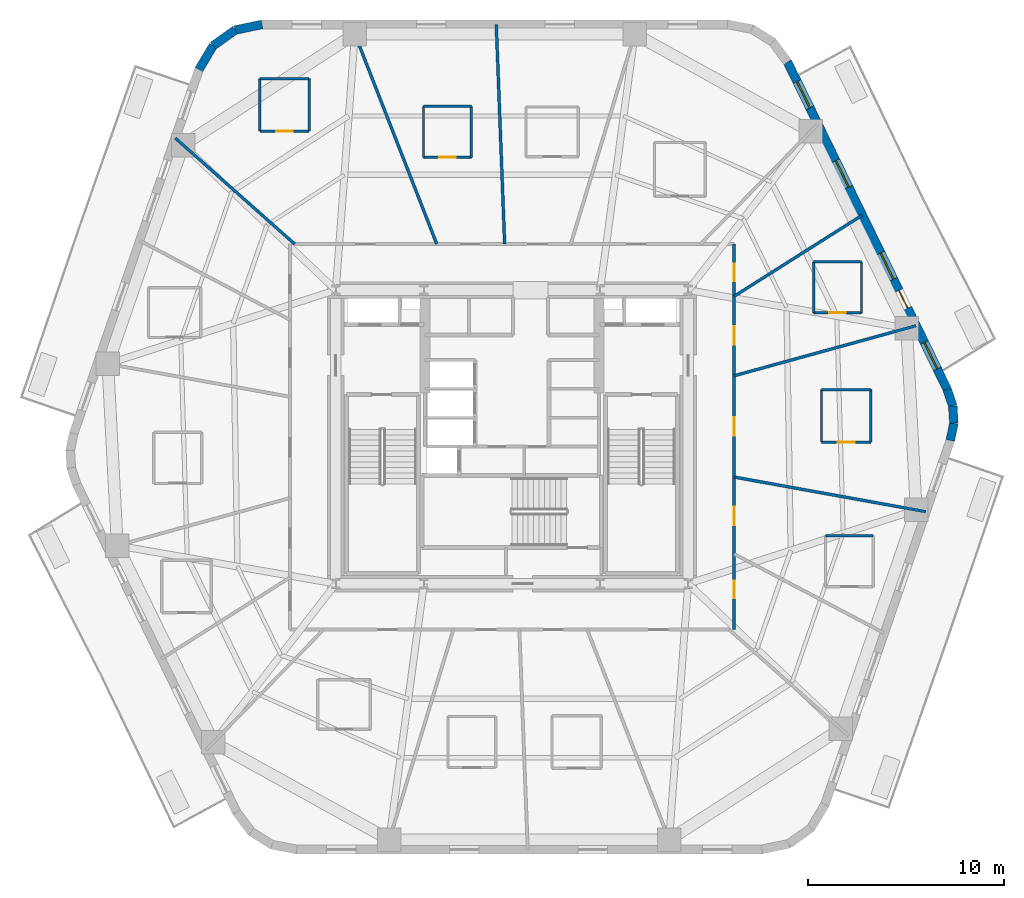
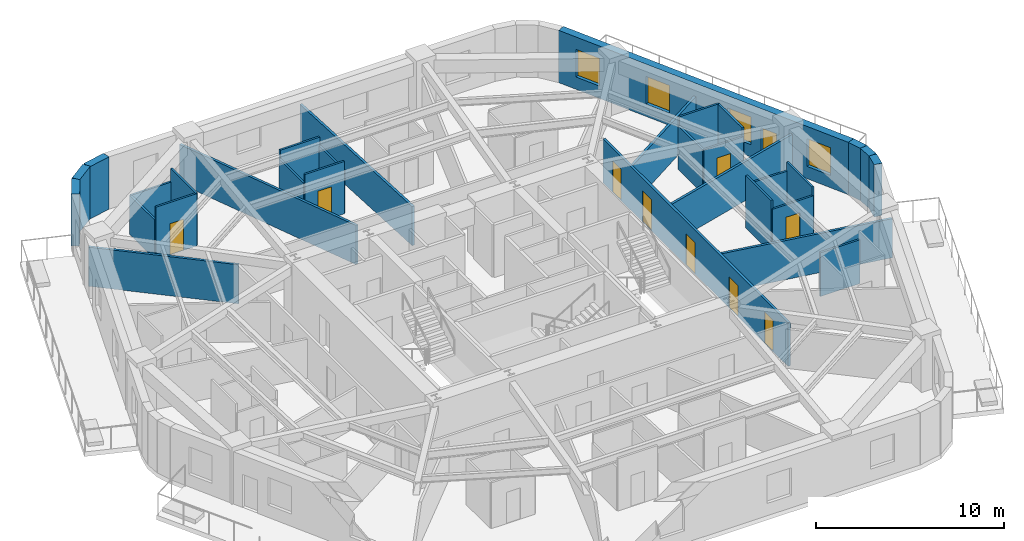
# One storey, part 6 of 10: 31 walls, 10 doors, 4 windows, 14 openings.
"""IFC4 building model written with IfcOpenShell, lengths in metres."""

from ifc_helpers import new_model, si_unit, direction, frame, frame_2d, origin, place, context, subcontext, project, spatial, rectangle, extrude, material, layer, layer_set, type_object, element, fill, save


model = new_model("IFC4")

# Units and contexts
model_context = context("Model", 3, precision=1e-05, world=origin(), true_north=direction((0.0, 1.0)))
body_context = subcontext(model_context, "Body", "Model", "MODEL_VIEW")
ifc_project = project(units=[si_unit("LENGTHUNIT", "METRE"), si_unit("AREAUNIT", "SQUARE_METRE"), si_unit("VOLUMEUNIT", "CUBIC_METRE"), si_unit("PLANEANGLEUNIT", "RADIAN"), si_unit("MASSUNIT", "GRAM", prefix="KILO")], contexts=[model_context])

# Site, building, storey
site_placement = place(None, origin())
site = spatial("IfcSite", under=ifc_project, at=site_placement, CompositionType="ELEMENT")
building_placement = place(site_placement, origin())
building = spatial("IfcBuilding", under=site, at=building_placement, Name="Kilnhurst Terrace Hotel", CompositionType="ELEMENT")
storey_placement = place(building_placement, frame((0.0, 0.0, 117.300048828125)))
storey = spatial("IfcBuildingStorey", under=building, at=storey_placement, Name="L28", CompositionType="ELEMENT", Elevation=117.300048828125)

# Walls
ifc_material_1 = material(Name="Precast concrete C40/50", Category="concrete")
ifc_layer_1 = layer(ifc_material_1, 0.449951171875, Name="Precast concrete C40/50")
ifc_layer_set_1 = layer_set([ifc_layer_1], Name="Precast concrete C40/50")
wall_type_1 = type_object("IfcWallType", Name="WL-BRK-450", PredefinedType="SOLIDWALL", material=ifc_layer_set_1)
wall_1_placement = place(storey_placement, frame((22.39697265625, -0.17919921875, 0.0), z_axis=(0.0, 0.0, 1.0), x_axis=(0.199313589404, 0.979935759669, 0.0)))
element("IfcWall", 1, at=wall_1_placement, inside=storey, type_object=wall_type_1, Name="L28 Rounded Corner Brick Wall C3.1", PredefinedType="SOLIDWALL", context=body_context, shape_type="SweptSolid", body=[
    extrude(rectangle(XDim=0.8955078125, YDim=0.449951171875, at=frame_2d((0.44775390625, 0.0))), origin(), (0.0, 0.0, 1.0), 3.39990234375),
])
wall_2_placement = place(storey_placement, frame((22.575439453125, 0.6982421875, 0.0), z_axis=(0.0, 0.0, 1.0), x_axis=(-0.060980441946, 0.998138961117, 0.0)))
element("IfcWall", 2, at=wall_2_placement, inside=storey, type_object=wall_type_1, Name="L28 Rounded Corner Brick Wall C3.2", PredefinedType="SOLIDWALL", context=body_context, shape_type="SweptSolid", body=[
    extrude(rectangle(XDim=0.880859375, YDim=0.449951171875, at=frame_2d((0.4404296875, 0.0))), origin(), (0.0, 0.0, 1.0), 3.39990234375),
])
wall_3_placement = place(storey_placement, frame((22.521728515625, 1.577392578125, 0.0), z_axis=(0.0, 0.0, 1.0), x_axis=(-0.317372694837, 0.948300887151, 0.0)))
element("IfcWall", 3, at=wall_3_placement, inside=storey, type_object=wall_type_1, Name="L28 Rounded Corner Brick Wall C3.3", PredefinedType="SOLIDWALL", context=body_context, shape_type="SweptSolid", body=[
    extrude(rectangle(XDim=0.8955078125, YDim=0.449951171875, at=frame_2d((0.44775390625, 0.0))), origin(), (0.0, 0.0, 1.0), 3.39990234375),
])
wall_4_placement = place(storey_placement, frame((-12.7705078125, 21.074951171875, 0.0), z_axis=(0.0, 0.0, 1.0), x_axis=(-0.97874281988, -0.205091424819, 0.0)))
element("IfcWall", 4, at=wall_4_placement, inside=storey, type_object=wall_type_1, Name="L28 Rounded Corner Brick Wall C5.1", PredefinedType="SOLIDWALL", context=body_context, shape_type="SweptSolid", body=[
    extrude(rectangle(XDim=1.40576171875, YDim=0.449951171875, at=frame_2d((0.702880859375, 0.0))), origin(), (0.0, 0.0, 1.0), 3.39990234375),
])
wall_5_placement = place(storey_placement, frame((-14.146484375, 20.78662109375, 0.0), z_axis=(0.0, 0.0, 1.0), x_axis=(-0.814162929117, -0.580636482536, 0.0)))
element("IfcWall", 5, at=wall_5_placement, inside=storey, type_object=wall_type_1, Name="L28 Rounded Corner Brick Wall C5.2", PredefinedType="SOLIDWALL", context=body_context, shape_type="SweptSolid", body=[
    extrude(rectangle(XDim=1.382080078125, YDim=0.449951171875, at=frame_2d((0.69091796875, 0.0))), origin(), (0.0, 0.0, 1.0), 3.39990234375),
])
wall_6_placement = place(storey_placement, frame((-15.271728515625, 19.984130859375, 0.0), z_axis=(0.0, 0.0, 1.0), x_axis=(-0.512579347361, -0.858639862025, 0.0)))
element("IfcWall", 6, at=wall_6_placement, inside=storey, type_object=wall_type_1, Name="L28 Rounded Corner Brick Wall C5.3", PredefinedType="SOLIDWALL", context=body_context, shape_type="SweptSolid", body=[
    extrude(rectangle(XDim=1.406005859375, YDim=0.449951171875, at=frame_2d((0.703125, 0.0))), origin(), (0.0, 0.0, 1.0), 3.39990234375),
])

# Wall, openings, door, windows
wall_7_placement = place(storey_placement, frame((22.237548828125, 2.426513671875, 0.0), z_axis=(0.0, 0.0, 1.0), x_axis=(-0.438374803278, 0.898792262901, 0.0)))
wall_7 = element("IfcWall", 7, at=wall_7_placement, inside=storey, type_object=wall_type_1, Name="L28 Exterior Brick Facade Wall F3", PredefinedType="SOLIDWALL", context=body_context, shape_type="SweptSolid", body=[
    extrude(rectangle(XDim=18.618408203125, YDim=0.449951171875, at=frame_2d((9.30908203125, 0.0))), origin(), (0.0, 0.0, 1.0), 3.39990234375),
])
opening_1_placement = place(wall_7_placement, frame((4.6201171875, 0.0, 0.0)))
opening_1 = element("IfcOpeningElement", 8, at=opening_1_placement, cuts=wall_7, Name="Opening BD-1000", PredefinedType="OPENING", context=body_context, shape_type="SweptSolid", body=[
    extrude(rectangle(XDim=1.0, YDim=2.14990234375, at=frame_2d((0.5, 1.074951171875))), frame((0.0, 0.23486328125, 0.0), z_axis=(0.0, -1.0, 0.0), x_axis=(1.0, 0.0, 0.0)), (0.0, 0.0, 1.0), 0.469970703125),
])
opening_2_placement = place(wall_7_placement, frame((6.261962890625, 0.0, 0.800048828125)))
opening_2 = element("IfcOpeningElement", 9, at=opening_2_placement, cuts=wall_7, Name="Opening W-02", PredefinedType="OPENING", context=body_context, shape_type="SweptSolid", body=[
    extrude(rectangle(XDim=1.5, YDim=1.800048828125, at=frame_2d((0.75, 0.89990234375))), frame((0.0, 0.23486328125, 0.0), z_axis=(0.0, -1.0, 0.0), x_axis=(1.0, 0.0, 0.0)), (0.0, 0.0, 1.0), 0.469970703125),
])
opening_3_placement = place(wall_7_placement, frame((11.5009765625, 0.0, 0.800048828125)))
opening_3 = element("IfcOpeningElement", 10, at=opening_3_placement, cuts=wall_7, Name="Opening W-02", PredefinedType="OPENING", context=body_context, shape_type="SweptSolid", body=[
    extrude(rectangle(XDim=1.5, YDim=1.800048828125, at=frame_2d((0.75, 0.89990234375))), frame((0.0, 0.23486328125, 0.0), z_axis=(0.0, -1.0, 0.0), x_axis=(1.0, 0.0, 0.0)), (0.0, 0.0, 1.0), 0.469970703125),
])
opening_4_placement = place(wall_7_placement, frame((16.006103515625, 0.0, 0.800048828125)))
opening_4 = element("IfcOpeningElement", 11, at=opening_4_placement, cuts=wall_7, Name="Opening W-02", PredefinedType="OPENING", context=body_context, shape_type="SweptSolid", body=[
    extrude(rectangle(XDim=1.5, YDim=1.800048828125, at=frame_2d((0.75, 0.89990234375))), frame((0.0, 0.23486328125, 0.0), z_axis=(0.0, -1.0, 0.0), x_axis=(1.0, 0.0, 0.0)), (0.0, 0.0, 1.0), 0.469970703125),
])
opening_5_placement = place(wall_7_placement, frame((1.1630859375, 0.0, 0.800048828125)))
opening_5 = element("IfcOpeningElement", 12, at=opening_5_placement, cuts=wall_7, Name="Opening W-02", PredefinedType="OPENING", context=body_context, shape_type="SweptSolid", body=[
    extrude(rectangle(XDim=1.5, YDim=1.800048828125, at=frame_2d((0.75, 0.89990234375))), frame((0.0, 0.23486328125, 0.0), z_axis=(0.0, -1.0, 0.0), x_axis=(1.0, 0.0, 0.0)), (0.0, 0.0, 1.0), 0.469970703125),
])
ifc_material_2 = material(Name="Thermally Broken Bronze Aluminium Alloy 6063-T6 and Laminated Glass", Category="aluminium")
door_type_1 = type_object("IfcDoorType", Name="DR-EXT-BAL-1000", OperationType="NOTDEFINED", PredefinedType="DOOR", material=ifc_material_2)
door_1_placement = place(opening_1_placement, origin())
door_1 = element("IfcDoor", 13, at=door_1_placement, inside=storey, type_object=door_type_1, Name="L28 Planted Balcony Door BAL-L1B", OperationType="SINGLE_SWING_LEFT", OverallHeight=2.14990234375, OverallWidth=1.0, PredefinedType="DOOR", context=body_context, shape_type="SweptSolid", body=[
    extrude(rectangle(XDim=1.0, YDim=2.14990234375, at=frame_2d((0.5, 1.074951171875))), frame((0.0, 0.02490234375, 0.0), z_axis=(0.0, -1.0, 0.0), x_axis=(1.0, 0.0, 0.0)), (0.0, 0.0, 1.0), 0.050048828125),
])
fill(opening_1, door_1)
ifc_material_3 = material(Name="Thermally Broken Bronze Aluminium Alloy 6063-T6 and Low-E Glass", Category="aluminium")
window_type = type_object("IfcWindowType", Name="WIN-1500X1800", PartitioningType="SINGLE_PANEL", PredefinedType="WINDOW", material=ifc_material_3)
window_1_placement = place(opening_2_placement, origin())
window_1 = element("IfcWindow", 14, at=window_1_placement, inside=storey, type_object=window_type, Name="L28 Deep-Set Masonry Window F3.1", OverallHeight=1.800048828125, OverallWidth=1.5, PartitioningType="SINGLE_PANEL", PredefinedType="WINDOW", context=body_context, shape_type="SweptSolid", body=[
    extrude(rectangle(XDim=1.5, YDim=1.800048828125, at=frame_2d((0.75, 0.89990234375))), frame((0.0, 0.030029296875, 0.0), z_axis=(0.0, -1.0, 0.0), x_axis=(1.0, 0.0, 0.0)), (0.0, 0.0, 1.0), 0.06005859375),
])
fill(opening_2, window_1)
window_2_placement = place(opening_3_placement, origin())
window_2 = element("IfcWindow", 15, at=window_2_placement, inside=storey, type_object=window_type, Name="L28 Deep-Set Masonry Window F3.2", OverallHeight=1.800048828125, OverallWidth=1.5, PartitioningType="SINGLE_PANEL", PredefinedType="WINDOW", context=body_context, shape_type="SweptSolid", body=[
    extrude(rectangle(XDim=1.5, YDim=1.800048828125, at=frame_2d((0.75, 0.89990234375))), frame((0.0, 0.030029296875, 0.0), z_axis=(0.0, -1.0, 0.0), x_axis=(1.0, 0.0, 0.0)), (0.0, 0.0, 1.0), 0.06005859375),
])
fill(opening_3, window_2)
window_3_placement = place(opening_4_placement, origin())
window_3 = element("IfcWindow", 16, at=window_3_placement, inside=storey, type_object=window_type, Name="L28 Deep-Set Masonry Window F3.3", OverallHeight=1.800048828125, OverallWidth=1.5, PartitioningType="SINGLE_PANEL", PredefinedType="WINDOW", context=body_context, shape_type="SweptSolid", body=[
    extrude(rectangle(XDim=1.5, YDim=1.800048828125, at=frame_2d((0.75, 0.89990234375))), frame((0.0, 0.030029296875, 0.0), z_axis=(0.0, -1.0, 0.0), x_axis=(1.0, 0.0, 0.0)), (0.0, 0.0, 1.0), 0.06005859375),
])
fill(opening_4, window_3)
window_4_placement = place(opening_5_placement, origin())
window_4 = element("IfcWindow", 17, at=window_4_placement, inside=storey, type_object=window_type, Name="L28 Deep-Set Masonry Window F3.4", OverallHeight=1.800048828125, OverallWidth=1.5, PartitioningType="SINGLE_PANEL", PredefinedType="WINDOW", context=body_context, shape_type="SweptSolid", body=[
    extrude(rectangle(XDim=1.5, YDim=1.800048828125, at=frame_2d((0.75, 0.89990234375))), frame((0.0, 0.030029296875, 0.0), z_axis=(0.0, -1.0, 0.0), x_axis=(1.0, 0.0, 0.0)), (0.0, 0.0, 1.0), 0.06005859375),
])
fill(opening_5, window_4)

# Wall, openings, doors
ifc_material_4 = material(Name="Acoustic Double-Gypsum Corridor Partition Assembly")
ifc_layer_2 = layer(ifc_material_4, 0.14990234375, Name="Acoustic Double-Gypsum Corridor Partition Assembly")
ifc_layer_set_2 = layer_set([ifc_layer_2], Name="Acoustic Double-Gypsum Corridor Partition Assembly")
wall_type_2 = type_object("IfcWallType", Name="WL-COR-150", PredefinedType="PARTITIONING", material=ifc_layer_set_2)
wall_8_placement = place(storey_placement, frame((11.35009765625, 9.85009765625, 0.0), z_axis=(0.0, 0.0, 1.0), x_axis=(0.0, -1.0, 0.0)))
wall_8 = element("IfcWall", 18, at=wall_8_placement, inside=storey, type_object=wall_type_2, Name="L28 Interior Wall WL-L28-COR-03", PredefinedType="PARTITIONING", context=body_context, shape_type="SweptSolid", body=[
    extrude(rectangle(XDim=19.7001953125, YDim=0.14990234375, at=frame_2d((9.85009765625, 0.0))), origin(), (0.0, 0.0, 1.0), 2.83984375),
])
opening_6_placement = place(wall_8_placement, frame((4.198974609375, 0.0, 0.0)))
opening_6 = element("IfcOpeningElement", 19, at=opening_6_placement, cuts=wall_8, Name="Opening D-60B", PredefinedType="OPENING", context=body_context, shape_type="SweptSolid", body=[
    extrude(rectangle(XDim=0.949951171875, YDim=2.030029296875, at=frame_2d((0.47509765625, 1.01513671875))), frame((0.0, 0.0849609375, 0.0), z_axis=(0.0, -1.0, 0.0), x_axis=(1.0, 0.0, 0.0)), (0.0, 0.0, 1.0), 0.169921875),
])
opening_7_placement = place(wall_8_placement, frame((1.001953125, 0.0, 0.0)))
opening_7 = element("IfcOpeningElement", 20, at=opening_7_placement, cuts=wall_8, Name="Opening D-60C", PredefinedType="OPENING", context=body_context, shape_type="SweptSolid", body=[
    extrude(rectangle(XDim=0.89990234375, YDim=2.030029296875, at=frame_2d((0.449951171875, 1.01513671875))), frame((0.0, 0.0849609375, 0.0), z_axis=(0.0, -1.0, 0.0), x_axis=(1.0, 0.0, 0.0)), (0.0, 0.0, 1.0), 0.169921875),
])
opening_8_placement = place(wall_8_placement, frame((17.197021484375, 0.0, 0.0)))
opening_8 = element("IfcOpeningElement", 21, at=opening_8_placement, cuts=wall_8, Name="Opening D-60C", PredefinedType="OPENING", context=body_context, shape_type="SweptSolid", body=[
    extrude(rectangle(XDim=0.89990234375, YDim=2.030029296875, at=frame_2d((0.449951171875, 1.01513671875))), frame((0.0, 0.0849609375, 0.0), z_axis=(0.0, -1.0, 0.0), x_axis=(1.0, 0.0, 0.0)), (0.0, 0.0, 1.0), 0.169921875),
])
opening_9_placement = place(wall_8_placement, frame((13.407958984375, 0.0, 0.0)))
opening_9 = element("IfcOpeningElement", 22, at=opening_9_placement, cuts=wall_8, Name="Opening D-60B", PredefinedType="OPENING", context=body_context, shape_type="SweptSolid", body=[
    extrude(rectangle(XDim=0.949951171875, YDim=2.030029296875, at=frame_2d((0.47509765625, 1.01513671875))), frame((0.0, 0.0849609375, 0.0), z_axis=(0.0, -1.0, 0.0), x_axis=(1.0, 0.0, 0.0)), (0.0, 0.0, 1.0), 0.169921875),
])
opening_10_placement = place(wall_8_placement, frame((8.8359375, 0.0, 0.0)))
opening_10 = element("IfcOpeningElement", 23, at=opening_10_placement, cuts=wall_8, Name="Opening D-60B", PredefinedType="OPENING", context=body_context, shape_type="SweptSolid", body=[
    extrude(rectangle(XDim=0.949951171875, YDim=2.030029296875, at=frame_2d((0.47509765625, 1.01513671875))), frame((0.0, 0.0849609375, 0.0), z_axis=(0.0, -1.0, 0.0), x_axis=(1.0, 0.0, 0.0)), (0.0, 0.0, 1.0), 0.169921875),
])
ifc_material_5 = material(Name="Painted Solid-Core Service Fire Door")
door_type_2 = type_object("IfcDoorType", Name="DR-FD60-900", OperationType="NOTDEFINED", PredefinedType="DOOR", material=ifc_material_5)
door_2_placement = place(opening_7_placement, origin())
door_2 = element("IfcDoor", 24, at=door_2_placement, inside=storey, type_object=door_type_2, Name="L28 Private Study Salon Door 2", OperationType="SINGLE_SWING_RIGHT", OverallHeight=2.030029296875, OverallWidth=0.89990234375, PredefinedType="DOOR", context=body_context, shape_type="SweptSolid", body=[
    extrude(rectangle(XDim=0.89990234375, YDim=2.030029296875, at=frame_2d((0.449951171875, 1.01513671875))), frame((0.0, 0.02490234375, 0.0), z_axis=(0.0, -1.0, 0.0), x_axis=(1.0, 0.0, 0.0)), (0.0, 0.0, 1.0), 0.050048828125),
])
fill(opening_7, door_2)
door_3_placement = place(opening_8_placement, origin())
door_3 = element("IfcDoor", 25, at=door_3_placement, inside=storey, type_object=door_type_2, Name="L28 Private Meeting Salon Door 16", OperationType="SINGLE_SWING_RIGHT", OverallHeight=2.030029296875, OverallWidth=0.89990234375, PredefinedType="DOOR", context=body_context, shape_type="SweptSolid", body=[
    extrude(rectangle(XDim=0.89990234375, YDim=2.030029296875, at=frame_2d((0.449951171875, 1.01513671875))), frame((0.0, 0.02490234375, 0.0), z_axis=(0.0, -1.0, 0.0), x_axis=(1.0, 0.0, 0.0)), (0.0, 0.0, 1.0), 0.050048828125),
])
fill(opening_8, door_3)
ifc_material_6 = material(Name="Acoustic Walnut Veneer Solid-Core Fire Door")
door_type_3 = type_object("IfcDoorType", Name="DR-FD60-950", OperationType="NOTDEFINED", PredefinedType="DOOR", material=ifc_material_6)
door_4_placement = place(opening_6_placement, origin())
door_4 = element("IfcDoor", 26, at=door_4_placement, inside=storey, type_object=door_type_3, Name="L28 Guest Room Entry Door 1", OperationType="SINGLE_SWING_LEFT", OverallHeight=2.030029296875, OverallWidth=0.949951171875, PredefinedType="DOOR", context=body_context, shape_type="SweptSolid", body=[
    extrude(rectangle(XDim=0.949951171875, YDim=2.030029296875, at=frame_2d((0.47509765625, 1.01513671875))), frame((0.0, 0.02490234375, 0.0), z_axis=(0.0, -1.0, 0.0), x_axis=(1.0, 0.0, 0.0)), (0.0, 0.0, 1.0), 0.050048828125),
])
fill(opening_6, door_4)
door_5_placement = place(opening_9_placement, origin())
door_5 = element("IfcDoor", 27, at=door_5_placement, inside=storey, type_object=door_type_3, Name="L28 Guest Room Entry Door 17", OperationType="SINGLE_SWING_LEFT", OverallHeight=2.030029296875, OverallWidth=0.949951171875, PredefinedType="DOOR", context=body_context, shape_type="SweptSolid", body=[
    extrude(rectangle(XDim=0.949951171875, YDim=2.030029296875, at=frame_2d((0.47509765625, 1.01513671875))), frame((0.0, 0.02490234375, 0.0), z_axis=(0.0, -1.0, 0.0), x_axis=(1.0, 0.0, 0.0)), (0.0, 0.0, 1.0), 0.050048828125),
])
fill(opening_9, door_5)
door_6_placement = place(opening_10_placement, origin())
door_6 = element("IfcDoor", 28, at=door_6_placement, inside=storey, type_object=door_type_3, Name="L28 Executive Suite Entry Door 18", OperationType="SINGLE_SWING_RIGHT", OverallHeight=2.030029296875, OverallWidth=0.949951171875, PredefinedType="DOOR", context=body_context, shape_type="SweptSolid", body=[
    extrude(rectangle(XDim=0.949951171875, YDim=2.030029296875, at=frame_2d((0.47509765625, 1.01513671875))), frame((0.0, 0.02490234375, 0.0), z_axis=(0.0, -1.0, 0.0), x_axis=(1.0, 0.0, 0.0)), (0.0, 0.0, 1.0), 0.050048828125),
])
fill(opening_10, door_6)

# Walls
ifc_material_7 = material(Name="STC-58 Acoustic Twin-Frame Guestroom Demising Partition")
ifc_layer_3 = layer(ifc_material_7, 0.14990234375, Name="STC-58 Acoustic Twin-Frame Guestroom Demising Partition")
ifc_layer_set_3 = layer_set([ifc_layer_3], Name="STC-58 Acoustic Twin-Frame Guestroom Demising Partition")
wall_type_3 = type_object("IfcWallType", Name="WL-DEM-150", PredefinedType="PARTITIONING", material=ifc_layer_set_3)
wall_9_placement = place(storey_placement, frame((11.35009765625, 3.123291015625, 0.0), z_axis=(0.0, 0.0, 1.0), x_axis=(0.964151983214, 0.265350623261, 0.0)))
element("IfcWall", 29, at=wall_9_placement, inside=storey, type_object=wall_type_3, Name="L28 Interior Wall WL-L28-DEM-COL01-01-1", PredefinedType="PARTITIONING", context=body_context, shape_type="SweptSolid", body=[
    extrude(rectangle(XDim=9.64501953125, YDim=0.14990234375, at=frame_2d((4.822509765625, 0.0))), origin(), (0.0, 0.0, 1.0), 2.5400390625),
])
wall_10_placement = place(storey_placement, frame((11.35009765625, 7.185302734375, 0.0), z_axis=(0.0, 0.0, 1.0), x_axis=(0.844928274737, 0.534879622485, 0.0)))
element("IfcWall", 30, at=wall_10_placement, inside=storey, type_object=wall_type_3, Name="L28 Interior Wall WL-L28-DEM-MID01-02-1", PredefinedType="PARTITIONING", context=body_context, shape_type="SweptSolid", body=[
    extrude(rectangle(XDim=7.746826171875, YDim=0.14990234375, at=frame_2d((3.87353515625, 0.0))), origin(), (0.0, 0.0, 1.0), 2.5400390625),
])
wall_11_placement = place(storey_placement, frame((-0.3759765625, 9.85009765625, 0.0), z_axis=(0.0, 0.0, 1.0), x_axis=(-0.03812177869, 0.999273100804, 0.0)))
element("IfcWall", 31, at=wall_11_placement, inside=storey, type_object=wall_type_3, Name="L28 Interior Wall WL-L28-DEM-MID03-05-1", PredefinedType="PARTITIONING", context=body_context, shape_type="SweptSolid", body=[
    extrude(rectangle(XDim=11.23291015625, YDim=0.14990234375, at=frame_2d((5.616455078125, 0.0))), origin(), (0.0, 0.0, 1.0), 2.5400390625),
])
wall_12_placement = place(storey_placement, frame((-3.84228515625, 9.85009765625, 0.0), z_axis=(0.0, 0.0, 1.0), x_axis=(-0.363432685593, 0.931620460833, 0.0)))
element("IfcWall", 32, at=wall_12_placement, inside=storey, type_object=wall_type_3, Name="L28 Interior Wall WL-L28-DEM-COL04-06-1", PredefinedType="PARTITIONING", context=body_context, shape_type="SweptSolid", body=[
    extrude(rectangle(XDim=12.048828125, YDim=0.14990234375, at=frame_2d((6.0244140625, 0.0))), origin(), (0.0, 0.0, 1.0), 2.5400390625),
])
wall_13_placement = place(storey_placement, frame((-11.097900390625, 9.85009765625, 0.0), z_axis=(0.0, 0.0, 1.0), x_axis=(-0.747904295103, 0.663806572253, 0.0)))
element("IfcWall", 33, at=wall_13_placement, inside=storey, type_object=wall_type_3, Name="L28 Interior Wall WL-L28-DEM-COL05-07-1", PredefinedType="PARTITIONING", context=body_context, shape_type="SweptSolid", body=[
    extrude(rectangle(XDim=8.160400390625, YDim=0.14990234375, at=frame_2d((4.080078125, 0.0))), origin(), (0.0, 0.0, 1.0), 2.5400390625),
])
wall_14_placement = place(storey_placement, frame((11.35009765625, -2.05078125, 0.0), z_axis=(0.0, 0.0, 1.0), x_axis=(0.984068313063, -0.177790762484, 0.0)))
element("IfcWall", 34, at=wall_14_placement, inside=storey, type_object=wall_type_3, Name="L28 Interior Wall WL-L28-DEM-COL12-18-1", PredefinedType="PARTITIONING", context=body_context, shape_type="SweptSolid", body=[
    extrude(rectangle(XDim=9.951416015625, YDim=0.14990234375, at=frame_2d((4.9755859375, 0.0))), origin(), (0.0, 0.0, 1.0), 2.5400390625),
])

# Wall, opening, door
ifc_material_8 = material(Name="120 mm Moisture-Resistant Tile-Backed Bathroom Partition")
ifc_layer_4 = layer(ifc_material_8, 0.1201171875, Name="120 mm Moisture-Resistant Tile-Backed Bathroom Partition")
ifc_layer_set_4 = layer_set([ifc_layer_4], Name="120 mm Moisture-Resistant Tile-Backed Bathroom Partition")
wall_type_4 = type_object("IfcWallType", Name="WL-PART-120", PredefinedType="PARTITIONING", material=ifc_layer_set_4)
wall_15_placement = place(storey_placement, frame((15.4140625, 6.3349609375, 0.0), z_axis=(0.0, 0.0, 1.0), x_axis=(1.0, 0.0, 0.0)))
wall_15 = element("IfcWall", 35, at=wall_15_placement, inside=storey, type_object=wall_type_4, Name="L28 Interior Wall WL-L28-BTH-01-1", PredefinedType="PARTITIONING", context=body_context, shape_type="SweptSolid", body=[
    extrude(rectangle(XDim=2.43994140625, YDim=0.1201171875, at=frame_2d((1.219970703125, 0.0))), origin(), (0.0, 0.0, 1.0), 2.83984375),
])
opening_11_placement = place(wall_15_placement, frame((0.794921875, 0.0, 0.0)))
opening_11 = element("IfcOpeningElement", 36, at=opening_11_placement, cuts=wall_15, Name="Opening D-08A", PredefinedType="OPENING", context=body_context, shape_type="SweptSolid", body=[
    extrude(rectangle(XDim=0.85009765625, YDim=2.030029296875, at=frame_2d((0.425048828125, 1.01513671875))), frame((0.0, 0.070068359375, 0.0), z_axis=(0.0, -1.0, 0.0), x_axis=(1.0, 0.0, 0.0)), (0.0, 0.0, 1.0), 0.14013671875),
])
ifc_material_9 = material(Name="Moisture-Resistant Lacquered En-suite Bathroom Door")
door_type_4 = type_object("IfcDoorType", Name="DR-INT-850", OperationType="NOTDEFINED", PredefinedType="DOOR", material=ifc_material_9)
door_7_placement = place(opening_11_placement, origin())
door_7 = element("IfcDoor", 37, at=door_7_placement, inside=storey, type_object=door_type_4, Name="L28 En-suite Bathroom Door 1", OperationType="SINGLE_SWING_RIGHT", OverallHeight=2.030029296875, OverallWidth=0.85009765625, PredefinedType="DOOR", context=body_context, shape_type="SweptSolid", body=[
    extrude(rectangle(XDim=0.85009765625, YDim=2.030029296875, at=frame_2d((0.425048828125, 1.01513671875))), frame((0.0, 0.02490234375, 0.0), z_axis=(0.0, -1.0, 0.0), x_axis=(1.0, 0.0, 0.0)), (0.0, 0.0, 1.0), 0.050048828125),
])
fill(opening_11, door_7)

# Walls
wall_16_placement = place(storey_placement, frame((17.85400390625, 6.3349609375, 0.0), z_axis=(0.0, 0.0, 1.0), x_axis=(0.0, 1.0, 0.0)))
element("IfcWall", 38, at=wall_16_placement, inside=storey, type_object=wall_type_4, Name="L28 Interior Wall WL-L28-BTH-01-2", PredefinedType="PARTITIONING", context=body_context, shape_type="SweptSolid", body=[
    extrude(rectangle(XDim=2.610107421875, YDim=0.1201171875, at=frame_2d((1.30517578125, 0.0))), origin(), (0.0, 0.0, 1.0), 3.39990234375),
])
wall_17_placement = place(storey_placement, frame((17.85400390625, 8.945068359375, 0.0), z_axis=(0.0, 0.0, 1.0), x_axis=(-1.0, 0.0, 0.0)))
element("IfcWall", 39, at=wall_17_placement, inside=storey, type_object=wall_type_4, Name="L28 Interior Wall WL-L28-BTH-01-3", PredefinedType="PARTITIONING", context=body_context, shape_type="SweptSolid", body=[
    extrude(rectangle(XDim=2.43994140625, YDim=0.1201171875, at=frame_2d((1.219970703125, 0.0))), origin(), (0.0, 0.0, 1.0), 3.39990234375),
])
wall_18_placement = place(storey_placement, frame((15.4140625, 8.945068359375, 0.0), z_axis=(0.0, 0.0, 1.0), x_axis=(0.0, -1.0, 0.0)))
element("IfcWall", 40, at=wall_18_placement, inside=storey, type_object=wall_type_4, Name="L28 Interior Wall WL-L28-BTH-01-4", PredefinedType="PARTITIONING", context=body_context, shape_type="SweptSolid", body=[
    extrude(rectangle(XDim=2.610107421875, YDim=0.1201171875, at=frame_2d((1.30517578125, 0.0))), origin(), (0.0, 0.0, 1.0), 2.83984375),
])

# Wall, opening, door
wall_19_placement = place(storey_placement, frame((-4.52001953125, 14.281982421875, 0.0), z_axis=(0.0, 0.0, 1.0), x_axis=(1.0, 0.0, 0.0)))
wall_19 = element("IfcWall", 41, at=wall_19_placement, inside=storey, type_object=wall_type_4, Name="L28 Interior Wall WL-L28-BTH-05-1", PredefinedType="PARTITIONING", context=body_context, shape_type="SweptSolid", body=[
    extrude(rectangle(XDim=2.43994140625, YDim=0.1201171875, at=frame_2d((1.219970703125, 0.0))), origin(), (0.0, 0.0, 1.0), 3.39990234375),
])
opening_12_placement = place(wall_19_placement, frame((0.794921875, 0.0, 0.0)))
opening_12 = element("IfcOpeningElement", 42, at=opening_12_placement, cuts=wall_19, Name="Opening D-08A", PredefinedType="OPENING", context=body_context, shape_type="SweptSolid", body=[
    extrude(rectangle(XDim=0.85009765625, YDim=2.030029296875, at=frame_2d((0.425048828125, 1.01513671875))), frame((0.0, 0.070068359375, 0.0), z_axis=(0.0, -1.0, 0.0), x_axis=(1.0, 0.0, 0.0)), (0.0, 0.0, 1.0), 0.14013671875),
])
door_8_placement = place(opening_12_placement, origin())
door_8 = element("IfcDoor", 43, at=door_8_placement, inside=storey, type_object=door_type_4, Name="L28 En-suite Bathroom Door 5", OperationType="SINGLE_SWING_RIGHT", OverallHeight=2.030029296875, OverallWidth=0.85009765625, PredefinedType="DOOR", context=body_context, shape_type="SweptSolid", body=[
    extrude(rectangle(XDim=0.85009765625, YDim=2.030029296875, at=frame_2d((0.425048828125, 1.01513671875))), frame((0.0, 0.02490234375, 0.0), z_axis=(0.0, -1.0, 0.0), x_axis=(1.0, 0.0, 0.0)), (0.0, 0.0, 1.0), 0.050048828125),
])
fill(opening_12, door_8)

# Walls
wall_20_placement = place(storey_placement, frame((-2.080078125, 14.281982421875, 0.0), z_axis=(0.0, 0.0, 1.0), x_axis=(0.0, 1.0, 0.0)))
element("IfcWall", 44, at=wall_20_placement, inside=storey, type_object=wall_type_4, Name="L28 Interior Wall WL-L28-BTH-05-2", PredefinedType="PARTITIONING", context=body_context, shape_type="SweptSolid", body=[
    extrude(rectangle(XDim=2.610107421875, YDim=0.1201171875, at=frame_2d((1.30517578125, 0.0))), origin(), (0.0, 0.0, 1.0), 2.84033203125),
])
wall_21_placement = place(storey_placement, frame((-2.080078125, 16.89208984375, 0.0), z_axis=(0.0, 0.0, 1.0), x_axis=(-1.0, 0.0, 0.0)))
element("IfcWall", 45, at=wall_21_placement, inside=storey, type_object=wall_type_4, Name="L28 Interior Wall WL-L28-BTH-05-3", PredefinedType="PARTITIONING", context=body_context, shape_type="SweptSolid", body=[
    extrude(rectangle(XDim=2.43994140625, YDim=0.1201171875, at=frame_2d((1.219970703125, 0.0))), origin(), (0.0, 0.0, 1.0), 3.39990234375),
])
wall_22_placement = place(storey_placement, frame((-4.52001953125, 16.89208984375, 0.0), z_axis=(0.0, 0.0, 1.0), x_axis=(0.0, -1.0, 0.0)))
element("IfcWall", 46, at=wall_22_placement, inside=storey, type_object=wall_type_4, Name="L28 Interior Wall WL-L28-BTH-05-4", PredefinedType="PARTITIONING", context=body_context, shape_type="SweptSolid", body=[
    extrude(rectangle(XDim=2.610107421875, YDim=0.1201171875, at=frame_2d((1.30517578125, 0.0))), origin(), (0.0, 0.0, 1.0), 2.84033203125),
])

# Wall, opening, door
wall_23_placement = place(storey_placement, frame((-12.885009765625, 15.6201171875, 0.0), z_axis=(0.0, 0.0, 1.0), x_axis=(1.0, 0.0, 0.0)))
wall_23 = element("IfcWall", 47, at=wall_23_placement, inside=storey, type_object=wall_type_4, Name="L28 Interior Wall WL-L28-BTH-06-1", PredefinedType="PARTITIONING", context=body_context, shape_type="SweptSolid", body=[
    extrude(rectangle(XDim=2.52001953125, YDim=0.1201171875, at=frame_2d((1.260009765625, 0.0))), origin(), (0.0, 0.0, 1.0), 3.39990234375),
])
opening_13_placement = place(wall_23_placement, frame((0.8349609375, 0.0, 0.0)))
opening_13 = element("IfcOpeningElement", 48, at=opening_13_placement, cuts=wall_23, Name="Opening D-08A", PredefinedType="OPENING", context=body_context, shape_type="SweptSolid", body=[
    extrude(rectangle(XDim=0.85009765625, YDim=2.030029296875, at=frame_2d((0.425048828125, 1.01513671875))), frame((0.0, 0.070068359375, 0.0), z_axis=(0.0, -1.0, 0.0), x_axis=(1.0, 0.0, 0.0)), (0.0, 0.0, 1.0), 0.14013671875),
])
door_9_placement = place(opening_13_placement, origin())
door_9 = element("IfcDoor", 49, at=door_9_placement, inside=storey, type_object=door_type_4, Name="L28 En-suite Bathroom Door 6", OperationType="SINGLE_SWING_LEFT", OverallHeight=2.030029296875, OverallWidth=0.85009765625, PredefinedType="DOOR", context=body_context, shape_type="SweptSolid", body=[
    extrude(rectangle(XDim=0.85009765625, YDim=2.030029296875, at=frame_2d((0.425048828125, 1.01513671875))), frame((0.0, 0.02490234375, 0.0), z_axis=(0.0, -1.0, 0.0), x_axis=(1.0, 0.0, 0.0)), (0.0, 0.0, 1.0), 0.050048828125),
])
fill(opening_13, door_9)

# Walls
wall_24_placement = place(storey_placement, frame((-10.364990234375, 15.6201171875, 0.0), z_axis=(0.0, 0.0, 1.0), x_axis=(0.0, 1.0, 0.0)))
element("IfcWall", 50, at=wall_24_placement, inside=storey, type_object=wall_type_4, Name="L28 Interior Wall WL-L28-BTH-06-2", PredefinedType="PARTITIONING", context=body_context, shape_type="SweptSolid", body=[
    extrude(rectangle(XDim=2.679931640625, YDim=0.1201171875, at=frame_2d((1.33984375, 0.0))), origin(), (0.0, 0.0, 1.0), 3.39990234375),
])
wall_25_placement = place(storey_placement, frame((-10.364990234375, 18.300048828125, 0.0), z_axis=(0.0, 0.0, 1.0), x_axis=(-1.0, 0.0, 0.0)))
element("IfcWall", 51, at=wall_25_placement, inside=storey, type_object=wall_type_4, Name="L28 Interior Wall WL-L28-BTH-06-3", PredefinedType="PARTITIONING", context=body_context, shape_type="SweptSolid", body=[
    extrude(rectangle(XDim=2.52001953125, YDim=0.1201171875, at=frame_2d((1.260009765625, 0.0))), origin(), (0.0, 0.0, 1.0), 2.5400390625),
])
wall_26_placement = place(storey_placement, frame((-12.885009765625, 18.300048828125, 0.0), z_axis=(0.0, 0.0, 1.0), x_axis=(0.0, -1.0, 0.0)))
element("IfcWall", 52, at=wall_26_placement, inside=storey, type_object=wall_type_4, Name="L28 Interior Wall WL-L28-BTH-06-4", PredefinedType="PARTITIONING", context=body_context, shape_type="SweptSolid", body=[
    extrude(rectangle(XDim=2.679931640625, YDim=0.1201171875, at=frame_2d((1.33984375, 0.0))), origin(), (0.0, 0.0, 1.0), 2.5400390625),
])
wall_27_placement = place(storey_placement, frame((18.455078125, -5.0458984375, 0.0), z_axis=(0.0, 0.0, 1.0), x_axis=(-1.0, 0.0, 0.0)))
element("IfcWall", 53, at=wall_27_placement, inside=storey, type_object=wall_type_4, Name="L28 Interior Wall WL-L28-BTH-17-3", PredefinedType="PARTITIONING", context=body_context, shape_type="SweptSolid", body=[
    extrude(rectangle(XDim=2.440185546875, YDim=0.1201171875, at=frame_2d((1.22021484375, 0.0))), origin(), (0.0, 0.0, 1.0), 2.83984375),
])

# Wall, opening, door
wall_28_placement = place(storey_placement, frame((15.81494140625, -0.26611328125, 0.0), z_axis=(0.0, 0.0, 1.0), x_axis=(1.0, 0.0, 0.0)))
wall_28 = element("IfcWall", 54, at=wall_28_placement, inside=storey, type_object=wall_type_4, Name="L28 Interior Wall WL-L28-BTH-18-1", PredefinedType="PARTITIONING", context=body_context, shape_type="SweptSolid", body=[
    extrude(rectangle(XDim=2.52001953125, YDim=0.1201171875, at=frame_2d((1.260009765625, 0.0))), origin(), (0.0, 0.0, 1.0), 2.84033203125),
])
opening_14_placement = place(wall_28_placement, frame((0.8349609375, 0.0, 0.0)))
opening_14 = element("IfcOpeningElement", 55, at=opening_14_placement, cuts=wall_28, Name="Opening D-08A", PredefinedType="OPENING", context=body_context, shape_type="SweptSolid", body=[
    extrude(rectangle(XDim=0.85009765625, YDim=2.030029296875, at=frame_2d((0.425048828125, 1.01513671875))), frame((0.0, 0.070068359375, 0.0), z_axis=(0.0, -1.0, 0.0), x_axis=(1.0, 0.0, 0.0)), (0.0, 0.0, 1.0), 0.14013671875),
])
door_10_placement = place(opening_14_placement, origin())
door_10 = element("IfcDoor", 56, at=door_10_placement, inside=storey, type_object=door_type_4, Name="L28 En-suite Bathroom Door 18", OperationType="SINGLE_SWING_LEFT", OverallHeight=2.030029296875, OverallWidth=0.85009765625, PredefinedType="DOOR", context=body_context, shape_type="SweptSolid", body=[
    extrude(rectangle(XDim=0.85009765625, YDim=2.030029296875, at=frame_2d((0.425048828125, 1.01513671875))), frame((0.0, 0.02490234375, 0.0), z_axis=(0.0, -1.0, 0.0), x_axis=(1.0, 0.0, 0.0)), (0.0, 0.0, 1.0), 0.050048828125),
])
fill(opening_14, door_10)

# Walls
wall_29_placement = place(storey_placement, frame((18.3349609375, -0.26611328125, 0.0), z_axis=(0.0, 0.0, 1.0), x_axis=(0.0, 1.0, 0.0)))
element("IfcWall", 57, at=wall_29_placement, inside=storey, type_object=wall_type_4, Name="L28 Interior Wall WL-L28-BTH-18-2", PredefinedType="PARTITIONING", context=body_context, shape_type="SweptSolid", body=[
    extrude(rectangle(XDim=2.68017578125, YDim=0.1201171875, at=frame_2d((1.340087890625, 0.0))), origin(), (0.0, 0.0, 1.0), 3.39990234375),
])
wall_30_placement = place(storey_placement, frame((18.3349609375, 2.4140625, 0.0), z_axis=(0.0, 0.0, 1.0), x_axis=(-1.0, 0.0, 0.0)))
element("IfcWall", 58, at=wall_30_placement, inside=storey, type_object=wall_type_4, Name="L28 Interior Wall WL-L28-BTH-18-3", PredefinedType="PARTITIONING", context=body_context, shape_type="SweptSolid", body=[
    extrude(rectangle(XDim=2.52001953125, YDim=0.1201171875, at=frame_2d((1.260009765625, 0.0))), origin(), (0.0, 0.0, 1.0), 2.84033203125),
])
wall_31_placement = place(storey_placement, frame((15.81494140625, 2.4140625, 0.0), z_axis=(0.0, 0.0, 1.0), x_axis=(0.0, -1.0, 0.0)))
element("IfcWall", 59, at=wall_31_placement, inside=storey, type_object=wall_type_4, Name="L28 Interior Wall WL-L28-BTH-18-4", PredefinedType="PARTITIONING", context=body_context, shape_type="SweptSolid", body=[
    extrude(rectangle(XDim=2.68017578125, YDim=0.1201171875, at=frame_2d((1.340087890625, 0.0))), origin(), (0.0, 0.0, 1.0), 3.39990234375),
])

save(model, "model.ifc")
